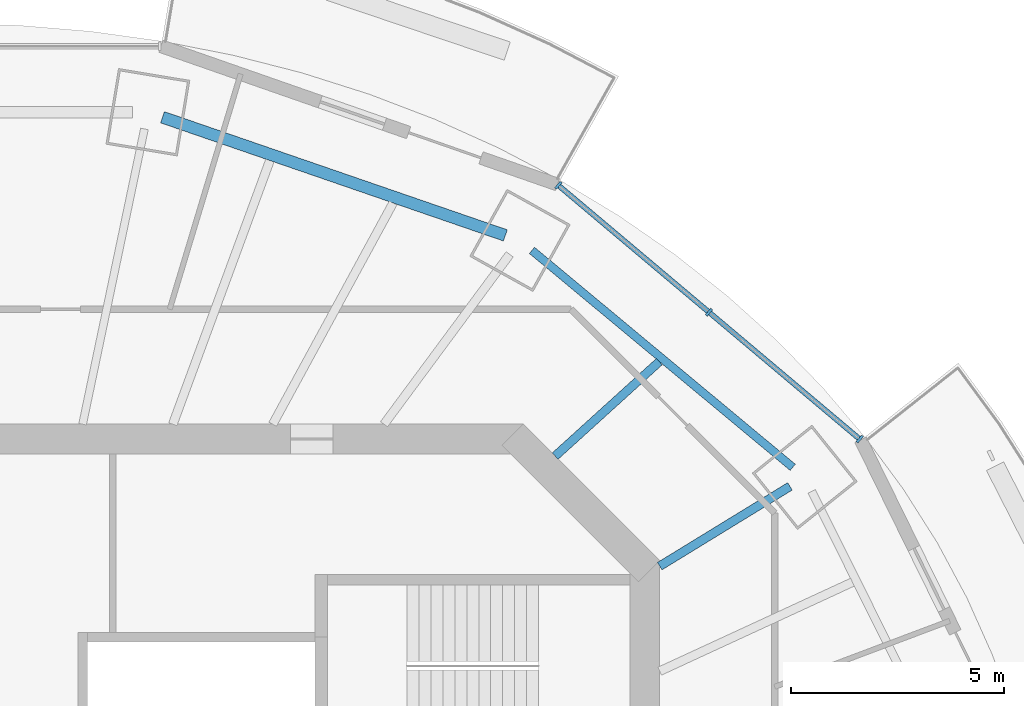
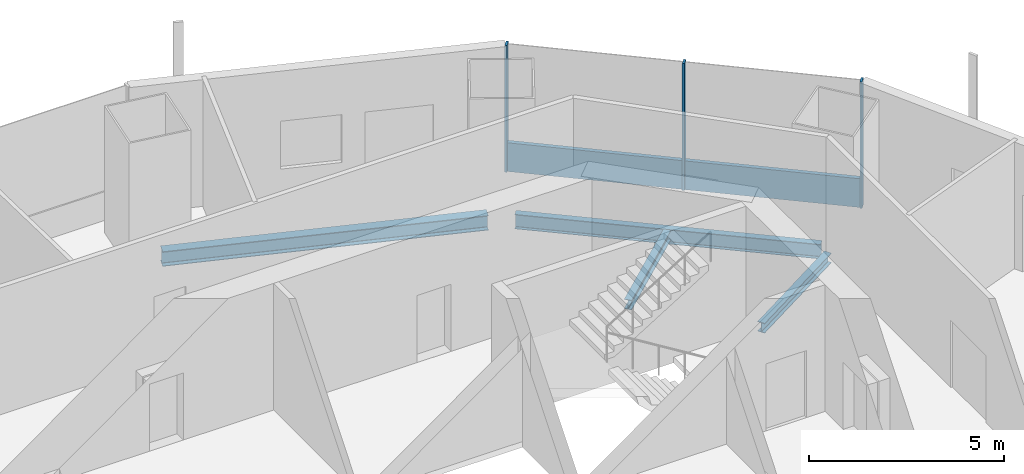
# One storey, part 6 of 16: 4 beams, 4 members, 1 element without a shape of its own.
"""IFC4 building model written with IfcOpenShell, lengths in metres."""

import ifcopenshell
import ifcopenshell.guid

model = None  # the IFC model being written
_history = None  # IfcOwnerHistory: only IFC2X3 demands one
_inside = {}  # id of a spatial element -> (the spatial element, [elements in it])
_under = {}  # id of a project, library or spatial element -> (it, [spatial elements below it])
_declared = {}  # id of a project -> (the project, [libraries it declares])
_typed = {}  # id of a type object -> (the type object, [elements of that type])
_made_of = {}  # id of a material, layer set ... -> (it, [elements and type objects made of it])


def new_model(schema):
    """Start an empty IFC model of exactly this schema.

    Asked for "IFC4X3", IfcOpenShell would pick the latest addendum, in which some entities
    have other attributes; the version numbers below select the first issue.
    IFC2X3 requires an IfcOwnerHistory on every rooted entity: one is made here for all.
    """
    global model, _history
    if schema == "IFC4X3":
        model = ifcopenshell.file(schema_version=(4, 3, 0, 0))
    else:
        model = ifcopenshell.file(schema=schema)
    _inside.clear()
    _under.clear()
    _declared.clear()
    _typed.clear()
    _made_of.clear()
    _history = None
    if model.schema == "IFC2X3":
        org = make("IfcOrganization", Name="unknown")
        user = make(
            "IfcPersonAndOrganization",
            ThePerson=make("IfcPerson", FamilyName="unknown"),
            TheOrganization=org,
        )
        app = make(
            "IfcApplication",
            ApplicationDeveloper=org,
            Version="unknown",
            ApplicationFullName="unknown",
            ApplicationIdentifier="unknown",
        )
        _history = make(
            "IfcOwnerHistory",
            OwningUser=user,
            OwningApplication=app,
            ChangeAction="ADDED",
            CreationDate=0,
        )
    return model


def make(cls, **values):
    """One entity of the class cls with the attributes given. An attribute that is None is left unset."""
    return model.create_entity(
        cls, **{name: value for name, value in values.items() if value is not None}
    )


def rooted(cls, **values):
    """An entity with a GlobalId (a new one), such as an element, a storey or a relation."""
    return make(cls, GlobalId=ifcopenshell.guid.new(), OwnerHistory=_history, **values)


def si_unit(unit_type, name, prefix=None):
    """IfcSIUnit, for example si_unit("LENGTHUNIT", "METRE", prefix="MILLI")."""
    return make("IfcSIUnit", UnitType=unit_type, Prefix=prefix, Name=name)


def assignment(units):
    """IfcUnitAssignment: the units of a project."""
    return None if units is None else make("IfcUnitAssignment", Units=units)


def point(xyz):
    """IfcCartesianPoint."""
    return None if xyz is None else make("IfcCartesianPoint", Coordinates=xyz)


def direction(xyz):
    """IfcDirection."""
    return None if xyz is None else make("IfcDirection", DirectionRatios=xyz)


def frame(location, z_axis=None, x_axis=None):
    """IfcAxis2Placement3D, a coordinate frame: its origin and axes. An axis left out is left unset."""
    return make(
        "IfcAxis2Placement3D",
        Location=point(location),
        Axis=direction(z_axis),
        RefDirection=direction(x_axis),
    )


def frame_2d(location, x_axis=None):
    """IfcAxis2Placement2D, a coordinate frame in the plane: its origin and x axis."""
    return make(
        "IfcAxis2Placement2D", Location=point(location), RefDirection=direction(x_axis)
    )


def origin():
    """The frame at (0, 0, 0) with its axes left unset."""
    return frame((0.0, 0.0, 0.0))


def origin_2d():
    """The frame at (0, 0) in the plane with its x axis left unset."""
    return frame_2d((0.0, 0.0))


def place(relative_to, where):
    """IfcLocalPlacement: puts the frame where relative to a parent placement (None: the world)."""
    return make(
        "IfcLocalPlacement", PlacementRelTo=relative_to, RelativePlacement=where
    )


def context(
    kind, dimensions, precision=None, world=None, true_north=None, identifier=None
):
    """IfcGeometricRepresentationContext, for example the 3D "Model" context."""
    return make(
        "IfcGeometricRepresentationContext",
        ContextIdentifier=identifier,
        ContextType=kind,
        CoordinateSpaceDimension=dimensions,
        Precision=precision,
        WorldCoordinateSystem=world,
        TrueNorth=true_north,
    )


def subcontext(parent, identifier, kind, view, scale=None):
    """IfcGeometricRepresentationSubContext, for example "Body" below "Model"."""
    return make(
        "IfcGeometricRepresentationSubContext",
        ContextIdentifier=identifier,
        ContextType=kind,
        ParentContext=parent,
        TargetScale=scale,
        TargetView=view,
    )


def project(units=None, contexts=None):
    """IfcProject with its units and contexts."""
    return rooted(
        "IfcProject",
        Name="project",
        RepresentationContexts=contexts,
        UnitsInContext=assignment(units),
    )


def spatial(cls, under=None, at=None, **own):
    """A site, building, storey or space (cls), placed at a placement, below another one or the project."""
    s = rooted(cls, ObjectPlacement=at, **own)
    if under is not None:
        _under.setdefault(under.id(), (under, []))[1].append(s)
    return s


def profile(cls, at=None, kind="AREA", **sizes):
    """A parametric profile (cls). Its sizes go by their IFC names, for example OverallWidth=200.0."""
    return make(cls, ProfileType=kind, Position=at, **sizes)


def rectangle(**sizes):
    """IfcRectangleProfileDef."""
    return profile("IfcRectangleProfileDef", **sizes)


def i_section(**sizes):
    """IfcIShapeProfileDef."""
    return profile("IfcIShapeProfileDef", **sizes)


def extrude(swept, where, along, depth):
    """IfcExtrudedAreaSolid: the profile swept, set in the frame where, extruded along a direction by depth."""
    return make(
        "IfcExtrudedAreaSolid",
        SweptArea=swept,
        Position=where,
        ExtrudedDirection=direction(along),
        Depth=depth,
    )


def shape(context_of_items, identifier, shape_type, items):
    """IfcShapeRepresentation: the items that make up one representation, for example the "Body"."""
    return make(
        "IfcShapeRepresentation",
        ContextOfItems=context_of_items,
        RepresentationIdentifier=identifier,
        RepresentationType=shape_type,
        Items=items,
    )


def material(Name=None, Category=None):
    """IfcMaterial."""
    return make("IfcMaterial", Name=Name, Category=Category)


def material_profile(
    of_material, cross_section, Name=None, Category=None, Priority=None
):
    """IfcMaterialProfile: a cross section and its material."""
    return make(
        "IfcMaterialProfile",
        Name=Name,
        Material=of_material,
        Profile=cross_section,
        Priority=Priority,
        Category=Category,
    )


def profile_set(profiles, Name=None, composite=None):
    """IfcMaterialProfileSet."""
    return make(
        "IfcMaterialProfileSet",
        Name=Name,
        MaterialProfiles=profiles,
        CompositeProfile=composite,
    )


def made_of(thing, what):
    """Note that an element or type object is made of a material, layer set ...; save() writes the relation."""
    if what is not None:
        _made_of.setdefault(what.id(), (what, []))[1].append(thing)
    return thing


def type_object(cls, material=None, **own):
    """A type object (cls), such as IfcWallType, which elements share."""
    return made_of(rooted(cls, **own), material)


def element(
    cls,
    number,
    at=None,
    inside=None,
    cuts=None,
    type_object=None,
    material=None,
    context=None,
    identifier="Body",
    shape_type=None,
    held_by="IfcProductDefinitionShape",
    body=None,
    shapes=None,
    **own,
):
    """One element of the class cls, such as IfcWall. Its Tag is "e" and its number.

    at: its placement. inside: the storey or other place that contains it. cuts: it is an
    opening in that element (IfcRelVoidsElement). A single representation is given by context,
    identifier, shape_type and body (its items); several are given by shapes. held_by: the class
    of the entity that holds the representations. save() writes the other relations.
    """
    e = rooted(cls, Tag="e%d" % number, ObjectPlacement=at, **own)
    if body is not None:
        shapes = [shape(context, identifier, shape_type, body)]
    if shapes is not None:
        e.Representation = make(held_by, Representations=shapes)
    if inside is not None:
        _inside.setdefault(inside.id(), (inside, []))[1].append(e)
    if cuts is not None:
        rooted(
            "IfcRelVoidsElement", RelatingBuildingElement=cuts, RelatedOpeningElement=e
        )
    if type_object is not None:
        _typed.setdefault(type_object.id(), (type_object, []))[1].append(e)
    return made_of(e, material)


def aggregate(whole, parts):
    """IfcRelAggregates: a whole, such as a stair, and the parts it consists of."""
    return rooted("IfcRelAggregates", RelatingObject=whole, RelatedObjects=parts)


def save(model, path):
    """Write the relations noted so far, then the file.

    IfcRelAggregates (storeys below a building ...), IfcRelContainedInSpatialStructure (elements
    in a storey), IfcRelDefinesByType, IfcRelAssociatesMaterial and IfcRelDeclares: one each for
    every whole, place, type object, material and project.
    """
    for whole, parts in _under.values():
        aggregate(whole, parts)
    for where, things in _inside.values():
        rooted(
            "IfcRelContainedInSpatialStructure",
            RelatedElements=things,
            RelatingStructure=where,
        )
    for kind, things in _typed.values():
        rooted("IfcRelDefinesByType", RelatedObjects=things, RelatingType=kind)
    for what, things in _made_of.values():
        rooted("IfcRelAssociatesMaterial", RelatedObjects=things, RelatingMaterial=what)
    for by, libraries in _declared.values():
        rooted("IfcRelDeclares", RelatingContext=by, RelatedDefinitions=libraries)
    model.write(path)


model = new_model("IFC4")

# Units and contexts
model_context = context("Model", 3, precision=1e-05, world=origin(), true_north=direction((0.0, 1.0)))
body_context = subcontext(model_context, "Body", "Model", "MODEL_VIEW")
ifc_project = project(units=[si_unit("LENGTHUNIT", "METRE"), si_unit("AREAUNIT", "SQUARE_METRE"), si_unit("VOLUMEUNIT", "CUBIC_METRE"), si_unit("PLANEANGLEUNIT", "RADIAN"), si_unit("MASSUNIT", "GRAM", prefix="KILO")], contexts=[model_context])

# Site, building, storey
site_placement = place(None, origin())
site = spatial("IfcSite", under=ifc_project, at=site_placement, CompositionType="ELEMENT")
building_placement = place(site_placement, origin())
building = spatial("IfcBuilding", under=site, at=building_placement, Name="Marenthal Gate Tower", CompositionType="ELEMENT")
storey_placement = place(building_placement, frame((0.0, 0.0, 371.64990234375)))
storey = spatial("IfcBuildingStorey", under=building, at=storey_placement, Name="L84", CompositionType="ELEMENT", Elevation=371.64990234375)

# Curtain wall, members
ifc_material_1 = material(Name="Aluminium and glass", Category="aluminium")
curtain_wall_type = type_object("IfcCurtainWallType", Name="Curtain wall typical high", PredefinedType="NOTDEFINED", material=ifc_material_1)
curtain_wall_placement = place(storey_placement, origin())
curtain_wall = element("IfcCurtainWall", 1, at=curtain_wall_placement, inside=storey, type_object=curtain_wall_type, Name="Curtain wall L84 bay 2", PredefinedType="NOTDEFINED")
ifc_material_2 = material(Name="Aluminium", Category="aluminium")
ifc_material_profile_1 = material_profile(ifc_material_2, rectangle(XDim=0.199951171875, YDim=0.06005859375, at=origin_2d()), Name="60x200 aluminium mullion")
ifc_profile_set_1 = profile_set([ifc_material_profile_1], Name="Aluminium")
member_type_1 = type_object("IfcMemberType", Name="Mullion 60x200 typical high", PredefinedType="MULLION", material=ifc_profile_set_1)
member_1_placement = place(storey_placement, frame((21.04736328125, 13.000244140625, 0.0), z_axis=(0.0, 0.0, 1.0), x_axis=(-0.64413508453, -0.764911754961, 0.0)))
member_1 = element("IfcMember", 2, at=member_1_placement, type_object=member_type_1, Name="Mullion L84 bay 2.1", PredefinedType="MULLION", context=body_context, shape_type="SweptSolid", body=[
    extrude(rectangle(XDim=0.199951171875, YDim=0.06005859375, at=origin_2d()), origin(), (0.0, 0.0, 1.0), 3.97021484375),
])
member_2_placement = place(storey_placement, frame((17.508056640625, 15.98046875, 0.0), z_axis=(0.0, 0.0, 1.0), x_axis=(-0.64413508453, -0.764911754961, 0.0)))
member_2 = element("IfcMember", 3, at=member_2_placement, type_object=member_type_1, Name="Mullion L84 bay 2.2", PredefinedType="MULLION", context=body_context, shape_type="SweptSolid", body=[
    extrude(rectangle(XDim=0.199951171875, YDim=0.06005859375, at=origin_2d()), origin(), (0.0, 0.0, 1.0), 3.97021484375),
])
member_3_placement = place(storey_placement, frame((13.96875, 18.9609375, 0.0), z_axis=(0.0, 0.0, 1.0), x_axis=(-0.64413508453, -0.764911754961, 0.0)))
member_3 = element("IfcMember", 4, at=member_3_placement, type_object=member_type_1, Name="Mullion L84 bay 2.3", PredefinedType="MULLION", context=body_context, shape_type="SweptSolid", body=[
    extrude(rectangle(XDim=0.199951171875, YDim=0.06005859375, at=origin_2d()), origin(), (0.0, 0.0, 1.0), 3.97021484375),
])
ifc_material_3 = material(Name="Aluminium", Category="aluminium")
ifc_material_profile_2 = material_profile(ifc_material_3, rectangle(XDim=0.1201171875, YDim=0.89990234375, at=origin_2d()), Name="120x900 aluminium transom")
ifc_profile_set_2 = profile_set([ifc_material_profile_2], Name="Aluminium")
member_type_2 = type_object("IfcMemberType", Name="Transom 120x900 typical high", PredefinedType="USERDEFINED", material=ifc_profile_set_2)
member_4_placement = place(storey_placement, frame((21.0244140625, 13.01953125, 0.4501953125), z_axis=(-0.764920149863, 0.644125115435, 0.0), x_axis=(-0.644125115435, -0.764920149863, 0.0)))
member_4 = element("IfcMember", 5, at=member_4_placement, type_object=member_type_2, Name="Transom L84 bay 2", ObjectType="TRANSOM", PredefinedType="USERDEFINED", context=body_context, shape_type="SweptSolid", body=[
    extrude(rectangle(XDim=0.1201171875, YDim=0.89990234375, at=origin_2d()), origin(), (0.0, 0.0, 1.0), 9.194091796875),
])
aggregate(curtain_wall, [member_1, member_2, member_3, member_4])

# Beams
ifc_material_4 = material(Name="Steel S355", Category="steel")
ifc_material_profile_3 = material_profile(ifc_material_4, i_section(OverallWidth=0.202880859375, OverallDepth=0.302001953125, WebThickness=0.007568359375, FlangeThickness=0.01318359375, FilletRadius=0.0126953125, at=origin_2d()), Name="W310X60")
ifc_profile_set_3 = profile_set([ifc_material_profile_3], Name="Steel S355")
beam_type_1 = type_object("IfcBeamType", Name="W310X60 beam", PredefinedType="BEAM", material=ifc_profile_set_3)
beam_1_placement = place(storey_placement, frame((16.3408203125, 14.820068359375, -0.330810546875), z_axis=(-0.74074555035, -0.671785702168, 0.0), x_axis=(0.671785702168, -0.74074555035, 0.0)))
element("IfcBeam", 6, at=beam_1_placement, inside=storey, type_object=beam_type_1, Name="BM-L84-19", PredefinedType="BEAM", context=body_context, shape_type="SweptSolid", body=[
    extrude(i_section(OverallWidth=0.202880859375, OverallDepth=0.302001953125, WebThickness=0.007568359375, FlangeThickness=0.01318359375, FilletRadius=0.0126953125, at=origin_2d()), origin(), (0.0, 0.0, 1.0), 3.30322265625),
])
ifc_material_5 = material(Name="Steel S355", Category="steel")
ifc_material_profile_4 = material_profile(ifc_material_5, i_section(OverallWidth=0.205078125, OverallDepth=0.31005859375, WebThickness=0.009521484375, FlangeThickness=0.016357421875, FilletRadius=0.0126953125, at=origin_2d()), Name="W310X74")
ifc_profile_set_4 = profile_set([ifc_material_profile_4], Name="Steel S355")
beam_type_2 = type_object("IfcBeamType", Name="W310X74 beam", PredefinedType="BEAM", material=ifc_profile_set_4)
beam_2_placement = place(storey_placement, frame((19.4091796875, 11.890380859375, -0.3349609375), z_axis=(-0.852682419774, -0.522429603879, 0.0), x_axis=(0.522429603879, -0.852682419774, 0.0)))
element("IfcBeam", 7, at=beam_2_placement, inside=storey, type_object=beam_type_2, Name="BM-L84-02", PredefinedType="BEAM", context=body_context, shape_type="SweptSolid", body=[
    extrude(i_section(OverallWidth=0.205078125, OverallDepth=0.31005859375, WebThickness=0.009521484375, FlangeThickness=0.016357421875, FilletRadius=0.0126953125, at=origin_2d()), origin(), (0.0, 0.0, 1.0), 3.587646484375),
])
ifc_material_6 = material(Name="Steel S355", Category="steel")
ifc_material_profile_5 = material_profile(ifc_material_6, i_section(OverallWidth=0.279052734375, OverallDepth=0.4619140625, WebThickness=0.0107421875, FlangeThickness=0.017333984375, FilletRadius=0.010009765625, at=origin_2d()), Name="W460X113")
ifc_profile_set_5 = profile_set([ifc_material_profile_5], Name="Steel S355")
beam_type_3 = type_object("IfcBeamType", Name="W460X113 beam", PredefinedType="BEAM", material=ifc_profile_set_5)
beam_3_placement = place(storey_placement, frame((12.724609375, 17.784912109375, -0.410888671875), z_axis=(-0.945450630653, 0.32576541406, 0.0), x_axis=(-0.32576541406, -0.945450630653, 0.0)))
element("IfcBeam", 8, at=beam_3_placement, inside=storey, type_object=beam_type_3, Name="BM-L84-41", PredefinedType="BEAM", context=body_context, shape_type="SweptSolid", body=[
    extrude(i_section(OverallWidth=0.279052734375, OverallDepth=0.4619140625, WebThickness=0.0107421875, FlangeThickness=0.017333984375, FilletRadius=0.010009765625, at=origin_2d()), origin(), (0.0, 0.0, 1.0), 8.517333984375),
])
ifc_material_7 = material(Name="Steel S355", Category="steel")
ifc_material_profile_6 = material_profile(ifc_material_7, i_section(OverallWidth=0.19091796875, OverallDepth=0.45703125, WebThickness=0.009033203125, FlangeThickness=0.014404296875, FilletRadius=0.01025390625, at=origin_2d()), Name="W460X74")
ifc_profile_set_6 = profile_set([ifc_material_profile_6], Name="Steel S355")
beam_type_4 = type_object("IfcBeamType", Name="W460X74 beam", PredefinedType="BEAM", material=ifc_profile_set_6)
beam_4_placement = place(storey_placement, frame((19.47412109375, 12.337890625, -0.408447265625), z_axis=(-0.76879863702, 0.639490934819, 0.0), x_axis=(-0.639490934819, -0.76879863702, 0.0)))
element("IfcBeam", 9, at=beam_4_placement, inside=storey, type_object=beam_type_4, Name="BM-L84-40", PredefinedType="BEAM", context=body_context, shape_type="SweptSolid", body=[
    extrude(i_section(OverallWidth=0.19091796875, OverallDepth=0.45703125, WebThickness=0.009033203125, FlangeThickness=0.014404296875, FilletRadius=0.01025390625, at=origin_2d()), origin(), (0.0, 0.0, 1.0), 7.967529296875),
])

save(model, "model.ifc")
